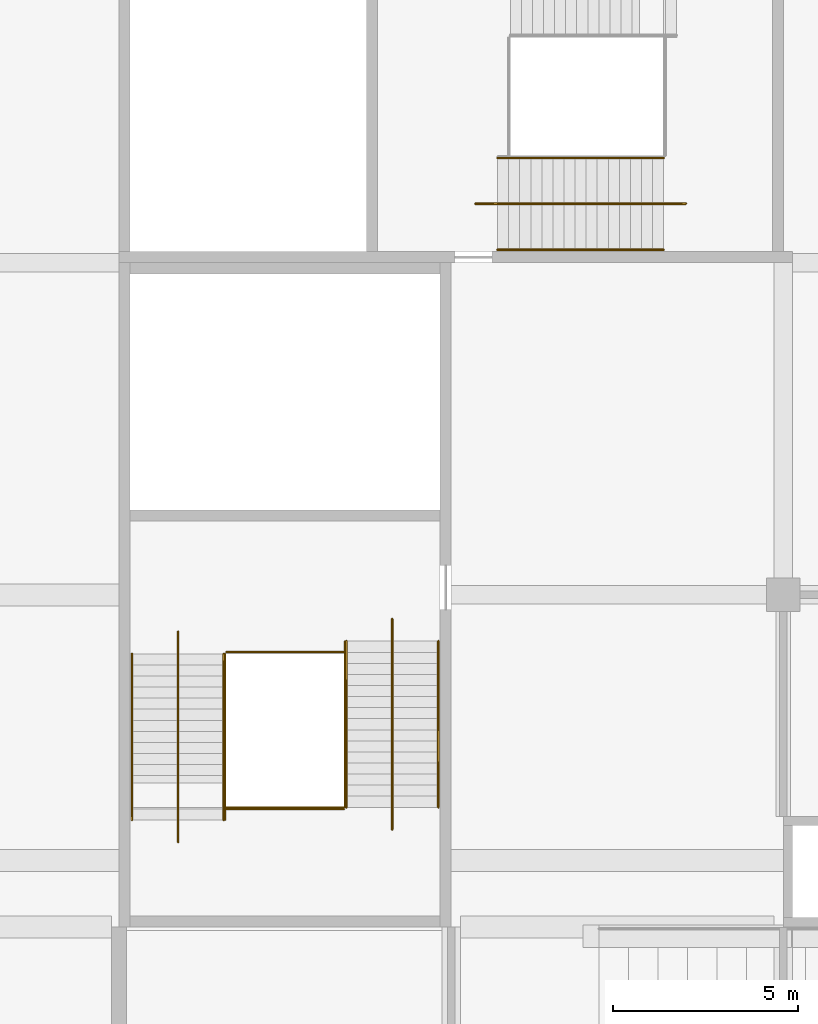
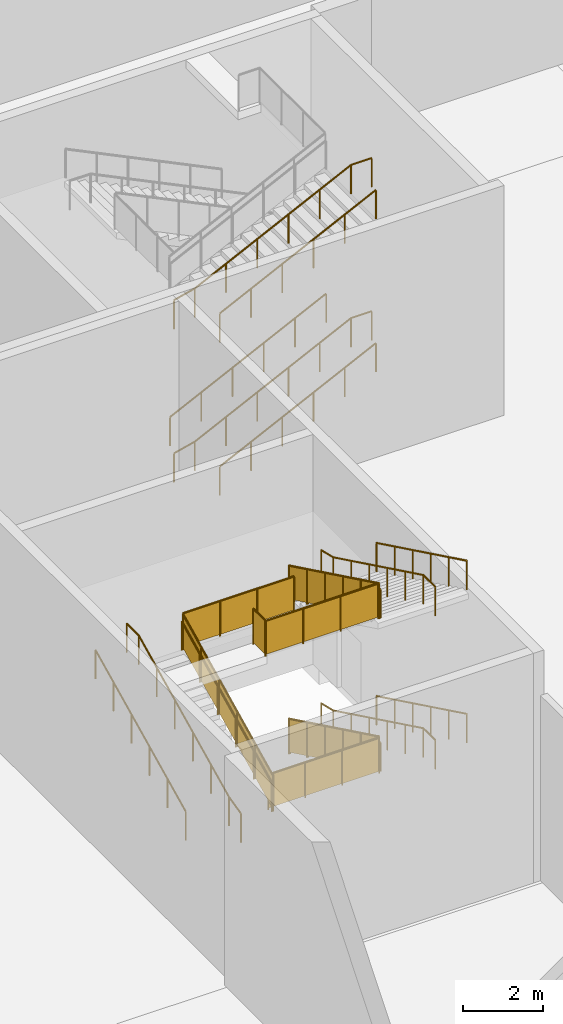
# One storey, part 67 of 92: 20 railings.
"""IFC4 building model written with IfcOpenShell, lengths in metres."""

from ifc_helpers import new_model, si_unit, direction, frame, origin, origin_2d, place, context, subcontext, project, spatial, polyline, circle, outline, extrude, material, type_object, element, save


model = new_model("IFC4")

# Units and contexts
model_context = context("Model", 3, precision=1e-05, world=origin(), true_north=direction((0.0, 1.0)))
body_context = subcontext(model_context, "Body", "Model", "MODEL_VIEW")
ifc_project = project(units=[si_unit("LENGTHUNIT", "METRE"), si_unit("AREAUNIT", "SQUARE_METRE"), si_unit("VOLUMEUNIT", "CUBIC_METRE"), si_unit("PLANEANGLEUNIT", "RADIAN"), si_unit("MASSUNIT", "GRAM", prefix="KILO")], contexts=[model_context])

# Site, building, storey
site_placement = place(None, origin())
site = spatial("IfcSite", under=ifc_project, at=site_placement, CompositionType="ELEMENT")
building_placement = place(site_placement, origin())
building = spatial("IfcBuilding", under=site, at=building_placement, Name="Silverbay Arena", CompositionType="ELEMENT")
storey_placement = place(building_placement, origin())
storey = spatial("IfcBuildingStorey", under=building, at=storey_placement, Name="L00", CompositionType="ELEMENT", Elevation=0.0)

# Railings
ifc_material_1 = material(Name="Stainless steel", Category="steel")
railing_type_1 = type_object("IfcRailingType", Name="Stair guard 1100", PredefinedType="GUARDRAIL", material=ifc_material_1)
railing_1_placement = place(storey_placement, frame((78.125, 106.7431640625, 0.145751953125)))
element("IfcRailing", 1, at=railing_1_placement, inside=storey, type_object=railing_type_1, Name="Stair ST-NW2 L00 to L01 flight 1 guard right", PredefinedType="GUARDRAIL", context=body_context, shape_type="SweptSolid", body=[
    extrude(circle(Radius=0.02392578125, at=origin_2d()), frame((0.0, 0.0, 1.076171875), z_axis=(0.0, -0.899367854138, 0.437192706873), x_axis=(1.0, 0.0, 0.0)), (0.0, 0.0, 1.0), 5.00341796875),
    extrude(outline(polyline([(-0.008056640625, 0.046142578125), (0.907958984375, 0.491455078125), (0.907958984375, 1.494384765625), (-0.008056640625, 1.049072265625), (-0.008056640625, 0.046142578125)])), frame((0.0029296875, 0.0, 0.0), z_axis=(-1.0, 0.0, 0.0), x_axis=(0.0, -1.0, 0.0)), (0.0, 0.0, 1.0), 0.006103515625),
    extrude(outline(polyline([(-0.008056640625, 0.483642578125), (0.907958984375, 0.928955078125), (0.907958984375, 1.931884765625), (-0.008056640625, 1.486572265625), (-0.008056640625, 0.483642578125)])), frame((0.0029296875, -0.89990234375, 0.0), z_axis=(-1.0, 0.0, 0.0), x_axis=(0.0, -1.0, 0.0)), (0.0, 0.0, 1.0), 0.006103515625),
    extrude(outline(polyline([(-0.008056640625, 0.921142578125), (0.907958984375, 1.366455078125), (0.907958984375, 2.369384765625), (-0.008056640625, 1.924072265625), (-0.008056640625, 0.921142578125)])), frame((0.0029296875, -1.800048828125, 0.0), z_axis=(-1.0, 0.0, 0.0), x_axis=(0.0, -1.0, 0.0)), (0.0, 0.0, 1.0), 0.006103515625),
    extrude(outline(polyline([(-0.008056640625, 1.358642578125), (0.907958984375, 1.803955078125), (0.907958984375, 2.806884765625), (-0.008056640625, 2.361572265625), (-0.008056640625, 1.358642578125)])), frame((0.0029296875, -2.699951171875, 0.0), z_axis=(-1.0, 0.0, 0.0), x_axis=(0.0, -1.0, 0.0)), (0.0, 0.0, 1.0), 0.006103515625),
    extrude(outline(polyline([(-0.008056640625, 1.796142578125), (0.907958984375, 2.241455078125), (0.907958984375, 3.244384765625), (-0.008056640625, 2.799072265625), (-0.008056640625, 1.796142578125)])), frame((0.0029296875, -3.60009765625, 0.0), z_axis=(-1.0, 0.0, 0.0), x_axis=(0.0, -1.0, 0.0)), (0.0, 0.0, 1.0), 0.006103515625),
    extrude(circle(Radius=0.02099609375, at=origin_2d()), origin(), (0.0, 0.0, 1.0), 1.052001953125),
    extrude(circle(Radius=0.02099609375, at=origin_2d()), frame((0.0, -0.89990234375, 0.4375)), (0.0, 0.0, 1.0), 1.052001953125),
    extrude(circle(Radius=0.02099609375, at=origin_2d()), frame((0.0, -1.800048828125, 0.875)), (0.0, 0.0, 1.0), 1.052001953125),
    extrude(circle(Radius=0.02099609375, at=origin_2d()), frame((0.0, -2.699951171875, 1.3125)), (0.0, 0.0, 1.0), 1.052001953125),
    extrude(circle(Radius=0.02099609375, at=origin_2d()), frame((0.0, -3.60009765625, 1.75)), (0.0, 0.0, 1.0), 1.052001953125),
    extrude(circle(Radius=0.02099609375, at=origin_2d()), frame((0.0, -4.5, 2.1875)), (0.0, 0.0, 1.0), 1.052001953125),
])
railing_2_placement = place(storey_placement, frame((74.875, 101.89990234375, 2.479248046875)))
element("IfcRailing", 2, at=railing_2_placement, inside=storey, type_object=railing_type_1, Name="Stair ST-NW2 L00 to L01 flight 2 guard left", PredefinedType="GUARDRAIL", context=body_context, shape_type="SweptSolid", body=[
    extrude(circle(Radius=0.02392578125, at=origin_2d()), frame((0.0, 0.0, 1.076171875), z_axis=(0.0, 0.899367854138, 0.437192706873), x_axis=(-1.0, 0.0, 0.0)), (0.0, 0.0, 1.0), 5.00341796875),
    extrude(outline(polyline([(-0.008056640625, 0.046142578125), (0.907958984375, 0.491455078125), (0.907958984375, 1.494384765625), (-0.008056640625, 1.049072265625), (-0.008056640625, 0.046142578125)])), frame((-0.0029296875, 0.0, 0.0), z_axis=(1.0, 0.0, 0.0), x_axis=(0.0, 1.0, 0.0)), (0.0, 0.0, 1.0), 0.006103515625),
    extrude(outline(polyline([(-0.008056640625, 0.483642578125), (0.907958984375, 0.928955078125), (0.907958984375, 1.931884765625), (-0.008056640625, 1.486572265625), (-0.008056640625, 0.483642578125)])), frame((-0.0029296875, 0.89990234375, 0.0), z_axis=(1.0, 0.0, 0.0), x_axis=(0.0, 1.0, 0.0)), (0.0, 0.0, 1.0), 0.006103515625),
    extrude(outline(polyline([(-0.008056640625, 0.921142578125), (0.907958984375, 1.366455078125), (0.907958984375, 2.369384765625), (-0.008056640625, 1.924072265625), (-0.008056640625, 0.921142578125)])), frame((-0.0029296875, 1.800048828125, 0.0), z_axis=(1.0, 0.0, 0.0), x_axis=(0.0, 1.0, 0.0)), (0.0, 0.0, 1.0), 0.006103515625),
    extrude(outline(polyline([(-0.008056640625, 1.358642578125), (0.907958984375, 1.803955078125), (0.907958984375, 2.806884765625), (-0.008056640625, 2.361572265625), (-0.008056640625, 1.358642578125)])), frame((-0.0029296875, 2.699951171875, 0.0), z_axis=(1.0, 0.0, 0.0), x_axis=(0.0, 1.0, 0.0)), (0.0, 0.0, 1.0), 0.006103515625),
    extrude(outline(polyline([(-0.008056640625, 1.796142578125), (0.907958984375, 2.241455078125), (0.907958984375, 3.244384765625), (-0.008056640625, 2.799072265625), (-0.008056640625, 1.796142578125)])), frame((-0.0029296875, 3.60009765625, 0.0), z_axis=(1.0, 0.0, 0.0), x_axis=(0.0, 1.0, 0.0)), (0.0, 0.0, 1.0), 0.006103515625),
    extrude(circle(Radius=0.02099609375, at=origin_2d()), origin(), (0.0, 0.0, 1.0), 1.052001953125),
    extrude(circle(Radius=0.02099609375, at=origin_2d()), frame((0.0, 0.89990234375, 0.4375)), (0.0, 0.0, 1.0), 1.052001953125),
    extrude(circle(Radius=0.02099609375, at=origin_2d()), frame((0.0, 1.800048828125, 0.875)), (0.0, 0.0, 1.0), 1.052001953125),
    extrude(circle(Radius=0.02099609375, at=origin_2d()), frame((0.0, 2.699951171875, 1.3125)), (0.0, 0.0, 1.0), 1.052001953125),
    extrude(circle(Radius=0.02099609375, at=origin_2d()), frame((0.0, 3.60009765625, 1.75)), (0.0, 0.0, 1.0), 1.052001953125),
    extrude(circle(Radius=0.02099609375, at=origin_2d()), frame((0.0, 4.5, 2.1875)), (0.0, 0.0, 1.0), 1.052001953125),
])
railing_3_placement = place(storey_placement, frame((78.125, 106.7431640625, 4.8125)))
element("IfcRailing", 3, at=railing_3_placement, inside=storey, type_object=railing_type_1, Name="Stair ST-NW2 L00 to L01 flight 3 guard right", PredefinedType="GUARDRAIL", context=body_context, shape_type="SweptSolid", body=[
    extrude(circle(Radius=0.02392578125, at=origin_2d()), frame((0.0, 0.0, 1.076171875), z_axis=(0.0, -0.899367854138, 0.437192706873), x_axis=(1.0, 0.0, 0.0)), (0.0, 0.0, 1.0), 5.00341796875),
    extrude(outline(polyline([(-0.008056640625, 0.046142578125), (0.907958984375, 0.491455078125), (0.907958984375, 1.494384765625), (-0.008056640625, 1.049072265625), (-0.008056640625, 0.046142578125)])), frame((0.0029296875, 0.0, 0.0), z_axis=(-1.0, 0.0, 0.0), x_axis=(0.0, -1.0, 0.0)), (0.0, 0.0, 1.0), 0.006103515625),
    extrude(outline(polyline([(-0.008056640625, 0.483642578125), (0.907958984375, 0.928955078125), (0.907958984375, 1.931884765625), (-0.008056640625, 1.486572265625), (-0.008056640625, 0.483642578125)])), frame((0.0029296875, -0.89990234375, 0.0), z_axis=(-1.0, 0.0, 0.0), x_axis=(0.0, -1.0, 0.0)), (0.0, 0.0, 1.0), 0.006103515625),
    extrude(outline(polyline([(-0.008056640625, 0.921142578125), (0.907958984375, 1.366455078125), (0.907958984375, 2.369384765625), (-0.008056640625, 1.924072265625), (-0.008056640625, 0.921142578125)])), frame((0.0029296875, -1.800048828125, 0.0), z_axis=(-1.0, 0.0, 0.0), x_axis=(0.0, -1.0, 0.0)), (0.0, 0.0, 1.0), 0.006103515625),
    extrude(outline(polyline([(-0.008056640625, 1.358642578125), (0.907958984375, 1.803955078125), (0.907958984375, 2.806884765625), (-0.008056640625, 2.361572265625), (-0.008056640625, 1.358642578125)])), frame((0.0029296875, -2.699951171875, 0.0), z_axis=(-1.0, 0.0, 0.0), x_axis=(0.0, -1.0, 0.0)), (0.0, 0.0, 1.0), 0.006103515625),
    extrude(outline(polyline([(-0.008056640625, 1.796142578125), (0.907958984375, 2.241455078125), (0.907958984375, 3.244384765625), (-0.008056640625, 2.799072265625), (-0.008056640625, 1.796142578125)])), frame((0.0029296875, -3.60009765625, 0.0), z_axis=(-1.0, 0.0, 0.0), x_axis=(0.0, -1.0, 0.0)), (0.0, 0.0, 1.0), 0.006103515625),
    extrude(circle(Radius=0.02099609375, at=origin_2d()), origin(), (0.0, 0.0, 1.0), 1.052001953125),
    extrude(circle(Radius=0.02099609375, at=origin_2d()), frame((0.0, -0.89990234375, 0.4375)), (0.0, 0.0, 1.0), 1.052001953125),
    extrude(circle(Radius=0.02099609375, at=origin_2d()), frame((0.0, -1.800048828125, 0.875)), (0.0, 0.0, 1.0), 1.052001953125),
    extrude(circle(Radius=0.02099609375, at=origin_2d()), frame((0.0, -2.699951171875, 1.3125)), (0.0, 0.0, 1.0), 1.052001953125),
    extrude(circle(Radius=0.02099609375, at=origin_2d()), frame((0.0, -3.60009765625, 1.75)), (0.0, 0.0, 1.0), 1.052001953125),
    extrude(circle(Radius=0.02099609375, at=origin_2d()), frame((0.0, -4.5, 2.1875)), (0.0, 0.0, 1.0), 1.052001953125),
])
for number, where, name in (
    (4, (78.10009765625, 102.193115234375, 2.333251953125), "Stair ST-NW2 L00 to L01 landing 1 guard"),
    (5, (78.10009765625, 106.449951171875, 4.666748046875), "Stair ST-NW2 L00 to L01 landing 2 guard"),
):
    element("IfcRailing", number, at=place(storey_placement, frame(where)), inside=storey, type_object=railing_type_1, Name=name, PredefinedType="GUARDRAIL", context=body_context, shape_type="SweptSolid", body=[
        extrude(circle(Radius=0.02392578125, at=origin_2d()), frame((0.0, 0.0, 1.076171875), z_axis=(-1.0, 0.0, 0.0), x_axis=(0.0, -1.0, 0.0)), (0.0, 0.0, 1.0), 3.2001953125),
        extrude(outline(polyline([(-0.008056640625, 0.050048828125), (1.07470703125, 0.050048828125), (1.07470703125, 1.052978515625), (-0.008056640625, 1.052978515625), (-0.008056640625, 0.050048828125)])), frame((0.0, -0.0029296875, 0.0), z_axis=(0.0, 1.0, 0.0), x_axis=(-1.0, 0.0, 0.0)), (0.0, 0.0, 1.0), 0.006103515625),
        extrude(outline(polyline([(-0.008056640625, 0.050048828125), (1.07470703125, 0.050048828125), (1.07470703125, 1.052978515625), (-0.008056640625, 1.052978515625), (-0.008056640625, 0.050048828125)])), frame((-1.066650390625, -0.0029296875, 0.0), z_axis=(0.0, 1.0, 0.0), x_axis=(-1.0, 0.0, 0.0)), (0.0, 0.0, 1.0), 0.006103515625),
        extrude(outline(polyline([(-0.008056640625, 0.050048828125), (1.07470703125, 0.050048828125), (1.07470703125, 1.052978515625), (-0.008056640625, 1.052978515625), (-0.008056640625, 0.050048828125)])), frame((-2.133544921875, -0.0029296875, 0.0), z_axis=(0.0, 1.0, 0.0), x_axis=(-1.0, 0.0, 0.0)), (0.0, 0.0, 1.0), 0.006103515625),
        extrude(circle(Radius=0.02099609375, at=origin_2d()), origin(), (0.0, 0.0, 1.0), 1.052001953125),
        extrude(circle(Radius=0.02099609375, at=origin_2d()), frame((-1.066650390625, 0.0, 0.0)), (0.0, 0.0, 1.0), 1.052001953125),
        extrude(circle(Radius=0.02099609375, at=origin_2d()), frame((-2.133544921875, 0.0, 0.0)), (0.0, 0.0, 1.0), 1.052001953125),
        extrude(circle(Radius=0.02099609375, at=origin_2d()), frame((-3.2001953125, 0.0, 0.0)), (0.0, 0.0, 1.0), 1.052001953125),
    ])
railing_4_placement = place(storey_placement, frame((74.85009765625, 102.85009765625, 7.0)))
element("IfcRailing", 6, at=railing_4_placement, inside=storey, type_object=railing_type_1, Name="Stair ST-NW2 L00 to L01 landing 3 guard", PredefinedType="GUARDRAIL", context=body_context, shape_type="SweptSolid", body=[
    extrude(circle(Radius=0.02392578125, at=origin_2d()), frame((0.0, 0.0, 1.076171875), z_axis=(0.0, -1.0, 0.0), x_axis=(1.0, 0.0, 0.0)), (0.0, 0.0, 1.0), 0.60693359375),
    extrude(outline(polyline([(-0.008056640625, 0.050048828125), (0.614990234375, 0.050048828125), (0.614990234375, 1.052978515625), (-0.008056640625, 1.052978515625), (-0.008056640625, 0.050048828125)])), frame((0.0029296875, 0.0, 0.0), z_axis=(-1.0, 0.0, 0.0), x_axis=(0.0, -1.0, 0.0)), (0.0, 0.0, 1.0), 0.006103515625),
    extrude(circle(Radius=0.02392578125, at=origin_2d()), frame((0.0, -0.60693359375, 1.076171875), z_axis=(1.0, 0.0, 0.0), x_axis=(0.0, 1.0, 0.0)), (0.0, 0.0, 1.0), 3.25),
    extrude(outline(polyline([(-0.008056640625, 0.050048828125), (1.09130859375, 0.050048828125), (1.09130859375, 1.052978515625), (-0.008056640625, 1.052978515625), (-0.008056640625, 0.050048828125)])), frame((0.0, -0.60400390625, 0.0), z_axis=(0.0, -1.0, 0.0), x_axis=(1.0, 0.0, 0.0)), (0.0, 0.0, 1.0), 0.006103515625),
    extrude(outline(polyline([(-0.008056640625, 0.050048828125), (1.09130859375, 0.050048828125), (1.09130859375, 1.052978515625), (-0.008056640625, 1.052978515625), (-0.008056640625, 0.050048828125)])), frame((1.083251953125, -0.60400390625, 0.0), z_axis=(0.0, -1.0, 0.0), x_axis=(1.0, 0.0, 0.0)), (0.0, 0.0, 1.0), 0.006103515625),
    extrude(outline(polyline([(-0.008056640625, 0.050048828125), (1.09130859375, 0.050048828125), (1.09130859375, 1.052978515625), (-0.008056640625, 1.052978515625), (-0.008056640625, 0.050048828125)])), frame((2.166748046875, -0.60400390625, 0.0), z_axis=(0.0, -1.0, 0.0), x_axis=(1.0, 0.0, 0.0)), (0.0, 0.0, 1.0), 0.006103515625),
    extrude(circle(Radius=0.02099609375, at=origin_2d()), origin(), (0.0, 0.0, 1.0), 1.052001953125),
    extrude(circle(Radius=0.02099609375, at=origin_2d()), frame((0.0, -0.60693359375, 0.0)), (0.0, 0.0, 1.0), 1.052001953125),
    extrude(circle(Radius=0.02099609375, at=origin_2d()), frame((1.083251953125, -0.60693359375, 0.0)), (0.0, 0.0, 1.0), 1.052001953125),
    extrude(circle(Radius=0.02099609375, at=origin_2d()), frame((2.166748046875, -0.60693359375, 0.0)), (0.0, 0.0, 1.0), 1.052001953125),
    extrude(circle(Radius=0.02099609375, at=origin_2d()), frame((3.25, -0.60693359375, 0.0)), (0.0, 0.0, 1.0), 1.052001953125),
])
ifc_material_2 = material(Name="Stainless steel", Category="steel")
railing_type_2 = type_object("IfcRailingType", Name="Stair handrail 900", PredefinedType="HANDRAIL", material=ifc_material_2)
for number, where, name in (
    (7, (82.2568359375, 117.35009765625, 0.145751953125), "Stair ST-NW1 L00 to L01 flight 1 handrail left"),
    (8, (82.2568359375, 119.8359375, 0.145751953125), "Stair ST-NW1 L00 to L01 flight 1 handrail right"),
):
    element("IfcRailing", number, at=place(storey_placement, frame(where)), inside=storey, type_object=railing_type_2, Name=name, PredefinedType="HANDRAIL", context=body_context, shape_type="SweptSolid", body=[
        extrude(circle(Radius=0.02392578125, at=origin_2d()), frame((0.0, 0.0, 0.8759765625), z_axis=(0.899367854138, 0.0, 0.437192706873), x_axis=(0.0, 1.0, 0.0)), (0.0, 0.0, 1.0), 5.00341796875),
        extrude(circle(Radius=0.02099609375, at=origin_2d()), origin(), (0.0, 0.0, 1.0), 0.851806640625),
        extrude(circle(Radius=0.02099609375, at=origin_2d()), frame((0.89990234375, 0.0, 0.4375)), (0.0, 0.0, 1.0), 0.851806640625),
        extrude(circle(Radius=0.02099609375, at=origin_2d()), frame((1.800048828125, 0.0, 0.875)), (0.0, 0.0, 1.0), 0.851806640625),
        extrude(circle(Radius=0.02099609375, at=origin_2d()), frame((2.699951171875, 0.0, 1.3125)), (0.0, 0.0, 1.0), 0.851806640625),
        extrude(circle(Radius=0.02099609375, at=origin_2d()), frame((3.60009765625, 0.0, 1.75)), (0.0, 0.0, 1.0), 0.851806640625),
        extrude(circle(Radius=0.02099609375, at=origin_2d()), frame((4.5, 0.0, 2.1875)), (0.0, 0.0, 1.0), 0.851806640625),
    ])
railing_5_placement = place(storey_placement, frame((81.656982421875, 118.60009765625, 0.0)))
element("IfcRailing", 9, at=railing_5_placement, inside=storey, type_object=railing_type_2, Name="Stair ST-NW1 L00 to L01 flight 1 central handrail", PredefinedType="HANDRAIL", context=body_context, shape_type="SweptSolid", body=[
    extrude(circle(Radius=0.02392578125, at=origin_2d()), frame((0.0, 0.0, 0.8759765625), z_axis=(0.971726487806, 0.0, 0.23610936639), x_axis=(0.0, 1.0, 0.0)), (0.0, 0.0, 1.0), 0.6171875),
    extrude(circle(Radius=0.02392578125, at=origin_2d()), frame((0.599853515625, 0.0, 1.021484375), z_axis=(0.899367854138, 0.0, 0.437192706873), x_axis=(0.0, 1.0, 0.0)), (0.0, 0.0, 1.0), 5.00341796875),
    extrude(circle(Radius=0.02392578125, at=origin_2d()), frame((5.099853515625, 0.0, 3.208984375), z_axis=(1.0, 0.0, 0.0), x_axis=(0.0, 1.0, 0.0)), (0.0, 0.0, 1.0), 0.60009765625),
    extrude(circle(Radius=0.02099609375, at=origin_2d()), origin(), (0.0, 0.0, 1.0), 0.851806640625),
    extrude(circle(Radius=0.02099609375, at=origin_2d()), frame((0.599853515625, 0.0, 0.145751953125)), (0.0, 0.0, 1.0), 0.851806640625),
    extrude(circle(Radius=0.02099609375, at=origin_2d()), frame((1.499755859375, 0.0, 0.583251953125)), (0.0, 0.0, 1.0), 0.851806640625),
    extrude(circle(Radius=0.02099609375, at=origin_2d()), frame((2.39990234375, 0.0, 1.020751953125)), (0.0, 0.0, 1.0), 0.851806640625),
    extrude(circle(Radius=0.02099609375, at=origin_2d()), frame((3.2998046875, 0.0, 1.458251953125)), (0.0, 0.0, 1.0), 0.851806640625),
    extrude(circle(Radius=0.02099609375, at=origin_2d()), frame((4.199951171875, 0.0, 1.895751953125)), (0.0, 0.0, 1.0), 0.851806640625),
    extrude(circle(Radius=0.02099609375, at=origin_2d()), frame((5.099853515625, 0.0, 2.333251953125)), (0.0, 0.0, 1.0), 0.851806640625),
    extrude(circle(Radius=0.02099609375, at=origin_2d()), frame((5.699951171875, 0.0, 2.333251953125)), (0.0, 0.0, 1.0), 0.851806640625),
])
railing_6_placement = place(storey_placement, frame((82.2568359375, 117.35009765625, 4.8125)))
element("IfcRailing", 10, at=railing_6_placement, inside=storey, type_object=railing_type_2, Name="Stair ST-NW1 L00 to L01 flight 3 handrail left", PredefinedType="HANDRAIL", context=body_context, shape_type="SweptSolid", body=[
    extrude(circle(Radius=0.02392578125, at=origin_2d()), frame((0.0, 0.0, 0.8759765625), z_axis=(0.899367854138, 0.0, 0.437192706873), x_axis=(0.0, 1.0, 0.0)), (0.0, 0.0, 1.0), 5.00341796875),
    extrude(circle(Radius=0.02099609375, at=origin_2d()), origin(), (0.0, 0.0, 1.0), 0.851806640625),
    extrude(circle(Radius=0.02099609375, at=origin_2d()), frame((0.89990234375, 0.0, 0.4375)), (0.0, 0.0, 1.0), 0.851806640625),
    extrude(circle(Radius=0.02099609375, at=origin_2d()), frame((1.800048828125, 0.0, 0.875)), (0.0, 0.0, 1.0), 0.851806640625),
    extrude(circle(Radius=0.02099609375, at=origin_2d()), frame((2.699951171875, 0.0, 1.3125)), (0.0, 0.0, 1.0), 0.851806640625),
    extrude(circle(Radius=0.02099609375, at=origin_2d()), frame((3.60009765625, 0.0, 1.75)), (0.0, 0.0, 1.0), 0.851806640625),
    extrude(circle(Radius=0.02099609375, at=origin_2d()), frame((4.5, 0.0, 2.1875)), (0.0, 0.0, 1.0), 0.851806640625),
])
railing_7_placement = place(storey_placement, frame((81.656982421875, 118.60009765625, 4.666748046875)))
element("IfcRailing", 11, at=railing_7_placement, inside=storey, type_object=railing_type_2, Name="Stair ST-NW1 L00 to L01 flight 3 central handrail", PredefinedType="HANDRAIL", context=body_context, shape_type="SweptSolid", body=[
    extrude(circle(Radius=0.02392578125, at=origin_2d()), frame((0.0, 0.0, 0.8759765625), z_axis=(0.971726487806, 0.0, 0.23610936639), x_axis=(0.0, 1.0, 0.0)), (0.0, 0.0, 1.0), 0.6171875),
    extrude(circle(Radius=0.02392578125, at=origin_2d()), frame((0.599853515625, 0.0, 1.021484375), z_axis=(0.899367854138, 0.0, 0.437192706873), x_axis=(0.0, 1.0, 0.0)), (0.0, 0.0, 1.0), 5.00341796875),
    extrude(circle(Radius=0.02392578125, at=origin_2d()), frame((5.099853515625, 0.0, 3.208984375), z_axis=(1.0, 0.0, 0.0), x_axis=(0.0, 1.0, 0.0)), (0.0, 0.0, 1.0), 0.60009765625),
    extrude(circle(Radius=0.02099609375, at=origin_2d()), origin(), (0.0, 0.0, 1.0), 0.851806640625),
    extrude(circle(Radius=0.02099609375, at=origin_2d()), frame((0.599853515625, 0.0, 0.145751953125)), (0.0, 0.0, 1.0), 0.851806640625),
    extrude(circle(Radius=0.02099609375, at=origin_2d()), frame((1.499755859375, 0.0, 0.583251953125)), (0.0, 0.0, 1.0), 0.851806640625),
    extrude(circle(Radius=0.02099609375, at=origin_2d()), frame((2.39990234375, 0.0, 1.020751953125)), (0.0, 0.0, 1.0), 0.851806640625),
    extrude(circle(Radius=0.02099609375, at=origin_2d()), frame((3.2998046875, 0.0, 1.458251953125)), (0.0, 0.0, 1.0), 0.851806640625),
    extrude(circle(Radius=0.02099609375, at=origin_2d()), frame((4.199951171875, 0.0, 1.895751953125)), (0.0, 0.0, 1.0), 0.851806640625),
    extrude(circle(Radius=0.02099609375, at=origin_2d()), frame((5.099853515625, 0.0, 2.333251953125)), (0.0, 0.0, 1.0), 0.851806640625),
    extrude(circle(Radius=0.02099609375, at=origin_2d()), frame((5.699951171875, 0.0, 2.333251953125)), (0.0, 0.0, 1.0), 0.851806640625),
])
for number, where, name in (
    (12, (80.64990234375, 106.7431640625, 0.145751953125), "Stair ST-NW2 L00 to L01 flight 1 handrail left"),
    (13, (78.1640625, 106.7431640625, 0.145751953125), "Stair ST-NW2 L00 to L01 flight 1 handrail right"),
):
    element("IfcRailing", number, at=place(storey_placement, frame(where)), inside=storey, type_object=railing_type_2, Name=name, PredefinedType="HANDRAIL", context=body_context, shape_type="SweptSolid", body=[
        extrude(circle(Radius=0.02392578125, at=origin_2d()), frame((0.0, 0.0, 0.8759765625), z_axis=(0.0, -0.899367854138, 0.437192706873), x_axis=(1.0, 0.0, 0.0)), (0.0, 0.0, 1.0), 5.00341796875),
        extrude(circle(Radius=0.02099609375, at=origin_2d()), origin(), (0.0, 0.0, 1.0), 0.851806640625),
        extrude(circle(Radius=0.02099609375, at=origin_2d()), frame((0.0, -0.89990234375, 0.4375)), (0.0, 0.0, 1.0), 0.851806640625),
        extrude(circle(Radius=0.02099609375, at=origin_2d()), frame((0.0, -1.800048828125, 0.875)), (0.0, 0.0, 1.0), 0.851806640625),
        extrude(circle(Radius=0.02099609375, at=origin_2d()), frame((0.0, -2.699951171875, 1.3125)), (0.0, 0.0, 1.0), 0.851806640625),
        extrude(circle(Radius=0.02099609375, at=origin_2d()), frame((0.0, -3.60009765625, 1.75)), (0.0, 0.0, 1.0), 0.851806640625),
        extrude(circle(Radius=0.02099609375, at=origin_2d()), frame((0.0, -4.5, 2.1875)), (0.0, 0.0, 1.0), 0.851806640625),
    ])
railing_8_placement = place(storey_placement, frame((79.39990234375, 107.343017578125, 0.0)))
element("IfcRailing", 14, at=railing_8_placement, inside=storey, type_object=railing_type_2, Name="Stair ST-NW2 L00 to L01 flight 1 central handrail", PredefinedType="HANDRAIL", context=body_context, shape_type="SweptSolid", body=[
    extrude(circle(Radius=0.02392578125, at=origin_2d()), frame((0.0, 0.0, 0.8759765625), z_axis=(0.0, -0.971726487806, 0.23610936639), x_axis=(1.0, 0.0, 0.0)), (0.0, 0.0, 1.0), 0.6171875),
    extrude(circle(Radius=0.02392578125, at=origin_2d()), frame((0.0, -0.599853515625, 1.021484375), z_axis=(0.0, -0.899367854138, 0.437192706873), x_axis=(1.0, 0.0, 0.0)), (0.0, 0.0, 1.0), 5.00341796875),
    extrude(circle(Radius=0.02392578125, at=origin_2d()), frame((0.0, -5.099853515625, 3.208984375), z_axis=(0.0, -1.0, 0.0), x_axis=(1.0, 0.0, 0.0)), (0.0, 0.0, 1.0), 0.60009765625),
    extrude(circle(Radius=0.02099609375, at=origin_2d()), origin(), (0.0, 0.0, 1.0), 0.851806640625),
    extrude(circle(Radius=0.02099609375, at=origin_2d()), frame((0.0, -0.599853515625, 0.145751953125)), (0.0, 0.0, 1.0), 0.851806640625),
    extrude(circle(Radius=0.02099609375, at=origin_2d()), frame((0.0, -1.499755859375, 0.583251953125)), (0.0, 0.0, 1.0), 0.851806640625),
    extrude(circle(Radius=0.02099609375, at=origin_2d()), frame((0.0, -2.39990234375, 1.020751953125)), (0.0, 0.0, 1.0), 0.851806640625),
    extrude(circle(Radius=0.02099609375, at=origin_2d()), frame((0.0, -3.2998046875, 1.458251953125)), (0.0, 0.0, 1.0), 0.851806640625),
    extrude(circle(Radius=0.02099609375, at=origin_2d()), frame((0.0, -4.199951171875, 1.895751953125)), (0.0, 0.0, 1.0), 0.851806640625),
    extrude(circle(Radius=0.02099609375, at=origin_2d()), frame((0.0, -5.099853515625, 2.333251953125)), (0.0, 0.0, 1.0), 0.851806640625),
    extrude(circle(Radius=0.02099609375, at=origin_2d()), frame((0.0, -5.699951171875, 2.333251953125)), (0.0, 0.0, 1.0), 0.851806640625),
])
for number, where, name in (
    (15, (74.8359375, 101.89990234375, 2.479248046875), "Stair ST-NW2 L00 to L01 flight 2 handrail left"),
    (16, (72.35009765625, 101.89990234375, 2.479248046875), "Stair ST-NW2 L00 to L01 flight 2 handrail right"),
):
    element("IfcRailing", number, at=place(storey_placement, frame(where)), inside=storey, type_object=railing_type_2, Name=name, PredefinedType="HANDRAIL", context=body_context, shape_type="SweptSolid", body=[
        extrude(circle(Radius=0.02392578125, at=origin_2d()), frame((0.0, 0.0, 0.8759765625), z_axis=(0.0, 0.899367854138, 0.437192706873), x_axis=(-1.0, 0.0, 0.0)), (0.0, 0.0, 1.0), 5.00341796875),
        extrude(circle(Radius=0.02099609375, at=origin_2d()), origin(), (0.0, 0.0, 1.0), 0.851806640625),
        extrude(circle(Radius=0.02099609375, at=origin_2d()), frame((0.0, 0.89990234375, 0.4375)), (0.0, 0.0, 1.0), 0.851806640625),
        extrude(circle(Radius=0.02099609375, at=origin_2d()), frame((0.0, 1.800048828125, 0.875)), (0.0, 0.0, 1.0), 0.851806640625),
        extrude(circle(Radius=0.02099609375, at=origin_2d()), frame((0.0, 2.699951171875, 1.3125)), (0.0, 0.0, 1.0), 0.851806640625),
        extrude(circle(Radius=0.02099609375, at=origin_2d()), frame((0.0, 3.60009765625, 1.75)), (0.0, 0.0, 1.0), 0.851806640625),
        extrude(circle(Radius=0.02099609375, at=origin_2d()), frame((0.0, 4.5, 2.1875)), (0.0, 0.0, 1.0), 0.851806640625),
    ])
railing_9_placement = place(storey_placement, frame((73.60009765625, 101.300048828125, 2.333251953125)))
element("IfcRailing", 17, at=railing_9_placement, inside=storey, type_object=railing_type_2, Name="Stair ST-NW2 L00 to L01 flight 2 central handrail", PredefinedType="HANDRAIL", context=body_context, shape_type="SweptSolid", body=[
    extrude(circle(Radius=0.02392578125, at=origin_2d()), frame((0.0, 0.0, 0.8759765625), z_axis=(0.0, 0.971635685089, 0.236482759334), x_axis=(-1.0, 0.0, 0.0)), (0.0, 0.0, 1.0), 0.617431640625),
    extrude(circle(Radius=0.02392578125, at=origin_2d()), frame((0.0, 0.599853515625, 1.02197265625), z_axis=(0.0, 0.899367854138, 0.437192706873), x_axis=(-1.0, 0.0, 0.0)), (0.0, 0.0, 1.0), 5.00341796875),
    extrude(circle(Radius=0.02392578125, at=origin_2d()), frame((0.0, 5.099853515625, 3.20947265625), z_axis=(0.0, 1.0, 0.0), x_axis=(-1.0, 0.0, 0.0)), (0.0, 0.0, 1.0), 0.60009765625),
    extrude(circle(Radius=0.02099609375, at=origin_2d()), origin(), (0.0, 0.0, 1.0), 0.851806640625),
    extrude(circle(Radius=0.02099609375, at=origin_2d()), frame((0.0, 0.599853515625, 0.14599609375)), (0.0, 0.0, 1.0), 0.851806640625),
    extrude(circle(Radius=0.02099609375, at=origin_2d()), frame((0.0, 1.499755859375, 0.58349609375)), (0.0, 0.0, 1.0), 0.851806640625),
    extrude(circle(Radius=0.02099609375, at=origin_2d()), frame((0.0, 2.39990234375, 1.02099609375)), (0.0, 0.0, 1.0), 0.851806640625),
    extrude(circle(Radius=0.02099609375, at=origin_2d()), frame((0.0, 3.2998046875, 1.45849609375)), (0.0, 0.0, 1.0), 0.851806640625),
    extrude(circle(Radius=0.02099609375, at=origin_2d()), frame((0.0, 4.199951171875, 1.89599609375)), (0.0, 0.0, 1.0), 0.851806640625),
    extrude(circle(Radius=0.02099609375, at=origin_2d()), frame((0.0, 5.099853515625, 2.33349609375)), (0.0, 0.0, 1.0), 0.851806640625),
    extrude(circle(Radius=0.02099609375, at=origin_2d()), frame((0.0, 5.699951171875, 2.33349609375)), (0.0, 0.0, 1.0), 0.851806640625),
])
for number, where, name in (
    (18, (80.64990234375, 106.7431640625, 4.8125), "Stair ST-NW2 L00 to L01 flight 3 handrail left"),
    (19, (78.1640625, 106.7431640625, 4.8125), "Stair ST-NW2 L00 to L01 flight 3 handrail right"),
):
    element("IfcRailing", number, at=place(storey_placement, frame(where)), inside=storey, type_object=railing_type_2, Name=name, PredefinedType="HANDRAIL", context=body_context, shape_type="SweptSolid", body=[
        extrude(circle(Radius=0.02392578125, at=origin_2d()), frame((0.0, 0.0, 0.8759765625), z_axis=(0.0, -0.899367854138, 0.437192706873), x_axis=(1.0, 0.0, 0.0)), (0.0, 0.0, 1.0), 5.00341796875),
        extrude(circle(Radius=0.02099609375, at=origin_2d()), origin(), (0.0, 0.0, 1.0), 0.851806640625),
        extrude(circle(Radius=0.02099609375, at=origin_2d()), frame((0.0, -0.89990234375, 0.4375)), (0.0, 0.0, 1.0), 0.851806640625),
        extrude(circle(Radius=0.02099609375, at=origin_2d()), frame((0.0, -1.800048828125, 0.875)), (0.0, 0.0, 1.0), 0.851806640625),
        extrude(circle(Radius=0.02099609375, at=origin_2d()), frame((0.0, -2.699951171875, 1.3125)), (0.0, 0.0, 1.0), 0.851806640625),
        extrude(circle(Radius=0.02099609375, at=origin_2d()), frame((0.0, -3.60009765625, 1.75)), (0.0, 0.0, 1.0), 0.851806640625),
        extrude(circle(Radius=0.02099609375, at=origin_2d()), frame((0.0, -4.5, 2.1875)), (0.0, 0.0, 1.0), 0.851806640625),
    ])
railing_10_placement = place(storey_placement, frame((79.39990234375, 107.343017578125, 4.666748046875)))
element("IfcRailing", 20, at=railing_10_placement, inside=storey, type_object=railing_type_2, Name="Stair ST-NW2 L00 to L01 flight 3 central handrail", PredefinedType="HANDRAIL", context=body_context, shape_type="SweptSolid", body=[
    extrude(circle(Radius=0.02392578125, at=origin_2d()), frame((0.0, 0.0, 0.8759765625), z_axis=(0.0, -0.971726487806, 0.23610936639), x_axis=(1.0, 0.0, 0.0)), (0.0, 0.0, 1.0), 0.6171875),
    extrude(circle(Radius=0.02392578125, at=origin_2d()), frame((0.0, -0.599853515625, 1.021484375), z_axis=(0.0, -0.899367854138, 0.437192706873), x_axis=(1.0, 0.0, 0.0)), (0.0, 0.0, 1.0), 5.00341796875),
    extrude(circle(Radius=0.02392578125, at=origin_2d()), frame((0.0, -5.099853515625, 3.208984375), z_axis=(0.0, -1.0, 0.0), x_axis=(1.0, 0.0, 0.0)), (0.0, 0.0, 1.0), 0.60009765625),
    extrude(circle(Radius=0.02099609375, at=origin_2d()), origin(), (0.0, 0.0, 1.0), 0.851806640625),
    extrude(circle(Radius=0.02099609375, at=origin_2d()), frame((0.0, -0.599853515625, 0.145751953125)), (0.0, 0.0, 1.0), 0.851806640625),
    extrude(circle(Radius=0.02099609375, at=origin_2d()), frame((0.0, -1.499755859375, 0.583251953125)), (0.0, 0.0, 1.0), 0.851806640625),
    extrude(circle(Radius=0.02099609375, at=origin_2d()), frame((0.0, -2.39990234375, 1.020751953125)), (0.0, 0.0, 1.0), 0.851806640625),
    extrude(circle(Radius=0.02099609375, at=origin_2d()), frame((0.0, -3.2998046875, 1.458251953125)), (0.0, 0.0, 1.0), 0.851806640625),
    extrude(circle(Radius=0.02099609375, at=origin_2d()), frame((0.0, -4.199951171875, 1.895751953125)), (0.0, 0.0, 1.0), 0.851806640625),
    extrude(circle(Radius=0.02099609375, at=origin_2d()), frame((0.0, -5.099853515625, 2.333251953125)), (0.0, 0.0, 1.0), 0.851806640625),
    extrude(circle(Radius=0.02099609375, at=origin_2d()), frame((0.0, -5.699951171875, 2.333251953125)), (0.0, 0.0, 1.0), 0.851806640625),
])

save(model, "model.ifc")
